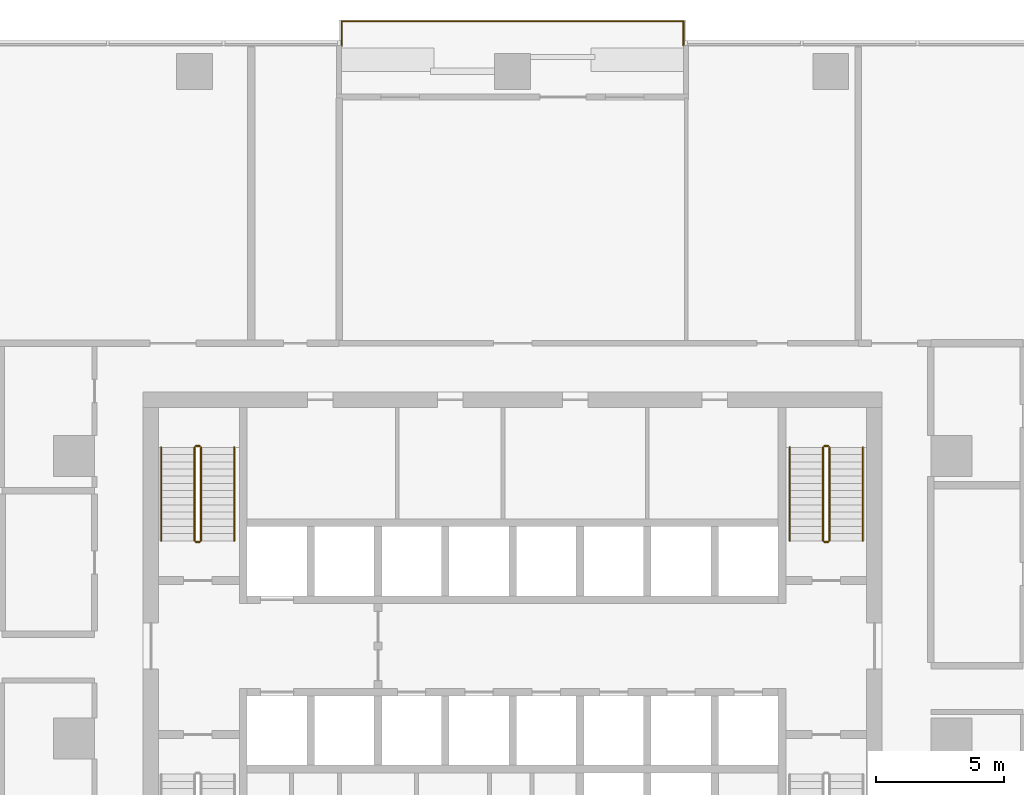
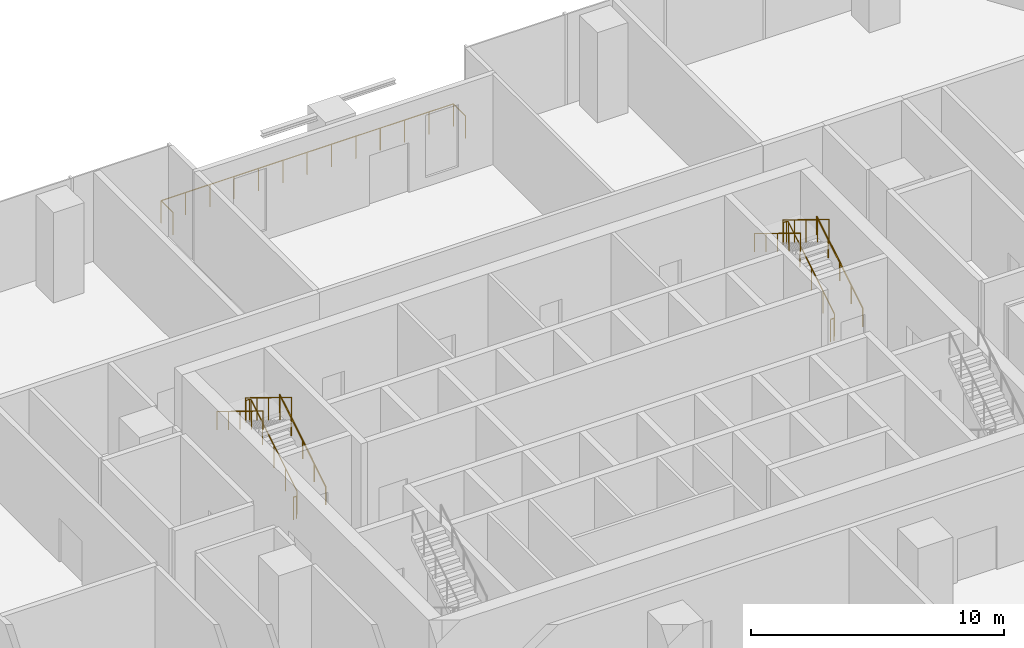
# One storey, part 14 of 14: 11 railings.
"""IFC4 building model written with IfcOpenShell, lengths in metres."""

import ifcopenshell
import ifcopenshell.guid

model = None  # the IFC model being written
_history = None  # IfcOwnerHistory: only IFC2X3 demands one
_inside = {}  # id of a spatial element -> (the spatial element, [elements in it])
_under = {}  # id of a project, library or spatial element -> (it, [spatial elements below it])
_declared = {}  # id of a project -> (the project, [libraries it declares])
_typed = {}  # id of a type object -> (the type object, [elements of that type])
_made_of = {}  # id of a material, layer set ... -> (it, [elements and type objects made of it])


def new_model(schema):
    """Start an empty IFC model of exactly this schema.

    Asked for "IFC4X3", IfcOpenShell would pick the latest addendum, in which some entities
    have other attributes; the version numbers below select the first issue.
    IFC2X3 requires an IfcOwnerHistory on every rooted entity: one is made here for all.
    """
    global model, _history
    if schema == "IFC4X3":
        model = ifcopenshell.file(schema_version=(4, 3, 0, 0))
    else:
        model = ifcopenshell.file(schema=schema)
    _inside.clear()
    _under.clear()
    _declared.clear()
    _typed.clear()
    _made_of.clear()
    _history = None
    if model.schema == "IFC2X3":
        org = make("IfcOrganization", Name="unknown")
        user = make(
            "IfcPersonAndOrganization",
            ThePerson=make("IfcPerson", FamilyName="unknown"),
            TheOrganization=org,
        )
        app = make(
            "IfcApplication",
            ApplicationDeveloper=org,
            Version="unknown",
            ApplicationFullName="unknown",
            ApplicationIdentifier="unknown",
        )
        _history = make(
            "IfcOwnerHistory",
            OwningUser=user,
            OwningApplication=app,
            ChangeAction="ADDED",
            CreationDate=0,
        )
    return model


def make(cls, **values):
    """One entity of the class cls with the attributes given. An attribute that is None is left unset."""
    return model.create_entity(
        cls, **{name: value for name, value in values.items() if value is not None}
    )


def rooted(cls, **values):
    """An entity with a GlobalId (a new one), such as an element, a storey or a relation."""
    return make(cls, GlobalId=ifcopenshell.guid.new(), OwnerHistory=_history, **values)


def si_unit(unit_type, name, prefix=None):
    """IfcSIUnit, for example si_unit("LENGTHUNIT", "METRE", prefix="MILLI")."""
    return make("IfcSIUnit", UnitType=unit_type, Prefix=prefix, Name=name)


def assignment(units):
    """IfcUnitAssignment: the units of a project."""
    return None if units is None else make("IfcUnitAssignment", Units=units)


def point(xyz):
    """IfcCartesianPoint."""
    return None if xyz is None else make("IfcCartesianPoint", Coordinates=xyz)


def direction(xyz):
    """IfcDirection."""
    return None if xyz is None else make("IfcDirection", DirectionRatios=xyz)


def frame(location, z_axis=None, x_axis=None):
    """IfcAxis2Placement3D, a coordinate frame: its origin and axes. An axis left out is left unset."""
    return make(
        "IfcAxis2Placement3D",
        Location=point(location),
        Axis=direction(z_axis),
        RefDirection=direction(x_axis),
    )


def frame_2d(location, x_axis=None):
    """IfcAxis2Placement2D, a coordinate frame in the plane: its origin and x axis."""
    return make(
        "IfcAxis2Placement2D", Location=point(location), RefDirection=direction(x_axis)
    )


def origin():
    """The frame at (0, 0, 0) with its axes left unset."""
    return frame((0.0, 0.0, 0.0))


def origin_2d():
    """The frame at (0, 0) in the plane with its x axis left unset."""
    return frame_2d((0.0, 0.0))


def place(relative_to, where):
    """IfcLocalPlacement: puts the frame where relative to a parent placement (None: the world)."""
    return make(
        "IfcLocalPlacement", PlacementRelTo=relative_to, RelativePlacement=where
    )


def context(
    kind, dimensions, precision=None, world=None, true_north=None, identifier=None
):
    """IfcGeometricRepresentationContext, for example the 3D "Model" context."""
    return make(
        "IfcGeometricRepresentationContext",
        ContextIdentifier=identifier,
        ContextType=kind,
        CoordinateSpaceDimension=dimensions,
        Precision=precision,
        WorldCoordinateSystem=world,
        TrueNorth=true_north,
    )


def subcontext(parent, identifier, kind, view, scale=None):
    """IfcGeometricRepresentationSubContext, for example "Body" below "Model"."""
    return make(
        "IfcGeometricRepresentationSubContext",
        ContextIdentifier=identifier,
        ContextType=kind,
        ParentContext=parent,
        TargetScale=scale,
        TargetView=view,
    )


def project(units=None, contexts=None):
    """IfcProject with its units and contexts."""
    return rooted(
        "IfcProject",
        Name="project",
        RepresentationContexts=contexts,
        UnitsInContext=assignment(units),
    )


def spatial(cls, under=None, at=None, **own):
    """A site, building, storey or space (cls), placed at a placement, below another one or the project."""
    s = rooted(cls, ObjectPlacement=at, **own)
    if under is not None:
        _under.setdefault(under.id(), (under, []))[1].append(s)
    return s


def profile(cls, at=None, kind="AREA", **sizes):
    """A parametric profile (cls). Its sizes go by their IFC names, for example OverallWidth=200.0."""
    return make(cls, ProfileType=kind, Position=at, **sizes)


def circle(**sizes):
    """IfcCircleProfileDef."""
    return profile("IfcCircleProfileDef", **sizes)


def extrude(swept, where, along, depth):
    """IfcExtrudedAreaSolid: the profile swept, set in the frame where, extruded along a direction by depth."""
    return make(
        "IfcExtrudedAreaSolid",
        SweptArea=swept,
        Position=where,
        ExtrudedDirection=direction(along),
        Depth=depth,
    )


def shape(context_of_items, identifier, shape_type, items):
    """IfcShapeRepresentation: the items that make up one representation, for example the "Body"."""
    return make(
        "IfcShapeRepresentation",
        ContextOfItems=context_of_items,
        RepresentationIdentifier=identifier,
        RepresentationType=shape_type,
        Items=items,
    )


def material(Name=None, Category=None):
    """IfcMaterial."""
    return make("IfcMaterial", Name=Name, Category=Category)


def made_of(thing, what):
    """Note that an element or type object is made of a material, layer set ...; save() writes the relation."""
    if what is not None:
        _made_of.setdefault(what.id(), (what, []))[1].append(thing)
    return thing


def type_object(cls, material=None, **own):
    """A type object (cls), such as IfcWallType, which elements share."""
    return made_of(rooted(cls, **own), material)


def element(
    cls,
    number,
    at=None,
    inside=None,
    cuts=None,
    type_object=None,
    material=None,
    context=None,
    identifier="Body",
    shape_type=None,
    held_by="IfcProductDefinitionShape",
    body=None,
    shapes=None,
    **own,
):
    """One element of the class cls, such as IfcWall. Its Tag is "e" and its number.

    at: its placement. inside: the storey or other place that contains it. cuts: it is an
    opening in that element (IfcRelVoidsElement). A single representation is given by context,
    identifier, shape_type and body (its items); several are given by shapes. held_by: the class
    of the entity that holds the representations. save() writes the other relations.
    """
    e = rooted(cls, Tag="e%d" % number, ObjectPlacement=at, **own)
    if body is not None:
        shapes = [shape(context, identifier, shape_type, body)]
    if shapes is not None:
        e.Representation = make(held_by, Representations=shapes)
    if inside is not None:
        _inside.setdefault(inside.id(), (inside, []))[1].append(e)
    if cuts is not None:
        rooted(
            "IfcRelVoidsElement", RelatingBuildingElement=cuts, RelatedOpeningElement=e
        )
    if type_object is not None:
        _typed.setdefault(type_object.id(), (type_object, []))[1].append(e)
    return made_of(e, material)


def aggregate(whole, parts):
    """IfcRelAggregates: a whole, such as a stair, and the parts it consists of."""
    return rooted("IfcRelAggregates", RelatingObject=whole, RelatedObjects=parts)


def save(model, path):
    """Write the relations noted so far, then the file.

    IfcRelAggregates (storeys below a building ...), IfcRelContainedInSpatialStructure (elements
    in a storey), IfcRelDefinesByType, IfcRelAssociatesMaterial and IfcRelDeclares: one each for
    every whole, place, type object, material and project.
    """
    for whole, parts in _under.values():
        aggregate(whole, parts)
    for where, things in _inside.values():
        rooted(
            "IfcRelContainedInSpatialStructure",
            RelatedElements=things,
            RelatingStructure=where,
        )
    for kind, things in _typed.values():
        rooted("IfcRelDefinesByType", RelatedObjects=things, RelatingType=kind)
    for what, things in _made_of.values():
        rooted("IfcRelAssociatesMaterial", RelatedObjects=things, RelatingMaterial=what)
    for by, libraries in _declared.values():
        rooted("IfcRelDeclares", RelatingContext=by, RelatedDefinitions=libraries)
    model.write(path)


model = new_model("IFC4")

# Units and contexts
model_context = context("Model", 3, precision=1e-05, world=origin(), true_north=direction((0.0, 1.0)))
body_context = subcontext(model_context, "Body", "Model", "MODEL_VIEW")
ifc_project = project(units=[si_unit("LENGTHUNIT", "METRE"), si_unit("AREAUNIT", "SQUARE_METRE"), si_unit("VOLUMEUNIT", "CUBIC_METRE"), si_unit("PLANEANGLEUNIT", "RADIAN"), si_unit("MASSUNIT", "GRAM", prefix="KILO")], contexts=[model_context])

# Site, building, storey
site_placement = place(None, origin())
site = spatial("IfcSite", under=ifc_project, at=site_placement, CompositionType="ELEMENT")
building_placement = place(site_placement, origin())
building = spatial("IfcBuilding", under=site, at=building_placement, Name="Mopane Tessera Tower", CompositionType="ELEMENT")
storey_placement = place(building_placement, frame((0.0, 0.0, 40.60009765625)))
storey = spatial("IfcBuildingStorey", under=building, at=storey_placement, Name="L07", CompositionType="ELEMENT", Elevation=40.60009765625)

# Railings
ifc_material_1 = material(Name="Powder-coated steel balustrade", Category="steel")
railing_type_1 = type_object("IfcRailingType", Name="Escape stair guard 1100 mm", PredefinedType="GUARDRAIL", material=ifc_material_1)
railing_1_placement = place(storey_placement, frame((-12.14990234375, 7.699951171875, 0.17138671875)))
element("IfcRailing", 1, at=railing_1_placement, inside=storey, type_object=railing_type_1, Name="L07 ST2 stair guard 1", PredefinedType="GUARDRAIL", context=body_context, shape_type="SweptSolid", body=[
    extrude(circle(Radius=0.02392578125, at=origin_2d()), frame((0.0, 0.0, 1.076171875), z_axis=(0.0, 0.852865859571, 0.52213008492), x_axis=(-1.0, 0.0, 0.0)), (0.0, 0.0, 1.0), 4.26806640625),
    extrude(circle(Radius=0.02392578125, at=origin_2d()), frame((0.0, 3.64013671875, 3.3046875), z_axis=(-0.708833529934, 0.705375805398, 0.0), x_axis=(-0.705375805398, -0.708833529934, 0.0)), (0.0, 0.0, 1.0), 0.070556640625),
    extrude(circle(Radius=0.02392578125, at=origin_2d()), frame((-0.050048828125, 3.68994140625, 3.3046875), z_axis=(-1.0, 0.0, 0.0), x_axis=(0.0, -1.0, 0.0)), (0.0, 0.0, 1.0), 0.150146484375),
    extrude(circle(Radius=0.02099609375, at=origin_2d()), origin(), (0.0, 0.0, 1.0), 1.052001953125),
    extrude(circle(Radius=0.02099609375, at=origin_2d()), frame((0.0, 0.91015625, 0.55712890625)), (0.0, 0.0, 1.0), 1.052001953125),
    extrude(circle(Radius=0.02099609375, at=origin_2d()), frame((0.0, 1.820068359375, 1.1142578125)), (0.0, 0.0, 1.0), 1.052001953125),
    extrude(circle(Radius=0.02099609375, at=origin_2d()), frame((0.0, 2.72998046875, 1.67138671875)), (0.0, 0.0, 1.0), 1.052001953125),
    extrude(circle(Radius=0.02099609375, at=origin_2d()), frame((0.0, 3.64013671875, 2.228515625)), (0.0, 0.0, 1.0), 1.052001953125),
    extrude(circle(Radius=0.02099609375, at=origin_2d()), frame((-0.050048828125, 3.68994140625, 2.228515625)), (0.0, 0.0, 1.0), 1.052001953125),
    extrude(circle(Radius=0.02099609375, at=origin_2d()), frame((-0.2001953125, 3.68994140625, 2.228515625)), (0.0, 0.0, 1.0), 1.052001953125),
])
railing_2_placement = place(storey_placement, frame((-12.39990234375, 11.340087890625, 2.5712890625)))
element("IfcRailing", 2, at=railing_2_placement, inside=storey, type_object=railing_type_1, Name="L07 ST2 stair guard 2", PredefinedType="GUARDRAIL", context=body_context, shape_type="SweptSolid", body=[
    extrude(circle(Radius=0.02392578125, at=origin_2d()), frame((0.0, 0.0, 1.076171875), z_axis=(0.0, -0.852865859571, 0.52213008492), x_axis=(1.0, 0.0, 0.0)), (0.0, 0.0, 1.0), 4.26806640625),
    extrude(circle(Radius=0.02099609375, at=origin_2d()), origin(), (0.0, 0.0, 1.0), 1.052001953125),
    extrude(circle(Radius=0.02099609375, at=origin_2d()), frame((0.0, -0.91015625, 0.55712890625)), (0.0, 0.0, 1.0), 1.052001953125),
    extrude(circle(Radius=0.02099609375, at=origin_2d()), frame((0.0, -1.820068359375, 1.1142578125)), (0.0, 0.0, 1.0), 1.052001953125),
    extrude(circle(Radius=0.02099609375, at=origin_2d()), frame((0.0, -2.72998046875, 1.67138671875)), (0.0, 0.0, 1.0), 1.052001953125),
    extrude(circle(Radius=0.02099609375, at=origin_2d()), frame((0.0, -3.64013671875, 2.228515625)), (0.0, 0.0, 1.0), 1.052001953125),
])
railing_3_placement = place(storey_placement, frame((-12.199951171875, 7.64990234375, 0.0)))
element("IfcRailing", 3, at=railing_3_placement, inside=storey, type_object=railing_type_1, Name="L07 ST2 stair guard 3", PredefinedType="GUARDRAIL", context=body_context, shape_type="SweptSolid", body=[
    extrude(circle(Radius=0.02392578125, at=origin_2d()), frame((0.0, 0.0, 1.076171875), z_axis=(-1.0, 0.0, 0.0), x_axis=(0.0, -1.0, 0.0)), (0.0, 0.0, 1.0), 0.150146484375),
    extrude(circle(Radius=0.02099609375, at=origin_2d()), origin(), (0.0, 0.0, 1.0), 1.052001953125),
    extrude(circle(Radius=0.02099609375, at=origin_2d()), frame((-0.150146484375, 0.0, 0.0)), (0.0, 0.0, 1.0), 1.052001953125),
])
railing_4_placement = place(storey_placement, frame((12.35009765625, 7.699951171875, 0.17138671875)))
element("IfcRailing", 4, at=railing_4_placement, inside=storey, type_object=railing_type_1, Name="L07 ST4 stair guard 1", PredefinedType="GUARDRAIL", context=body_context, shape_type="SweptSolid", body=[
    extrude(circle(Radius=0.02392578125, at=origin_2d()), frame((0.0, 0.0, 1.076171875), z_axis=(0.0, 0.852865859571, 0.52213008492), x_axis=(-1.0, 0.0, 0.0)), (0.0, 0.0, 1.0), 4.26806640625),
    extrude(circle(Radius=0.02392578125, at=origin_2d()), frame((0.0, 3.64013671875, 3.3046875), z_axis=(-0.708833529934, 0.705375805398, 0.0), x_axis=(-0.705375805398, -0.708833529934, 0.0)), (0.0, 0.0, 1.0), 0.070556640625),
    extrude(circle(Radius=0.02392578125, at=origin_2d()), frame((-0.050048828125, 3.68994140625, 3.3046875), z_axis=(-1.0, 0.0, 0.0), x_axis=(0.0, -1.0, 0.0)), (0.0, 0.0, 1.0), 0.150146484375),
    extrude(circle(Radius=0.02099609375, at=origin_2d()), origin(), (0.0, 0.0, 1.0), 1.052001953125),
    extrude(circle(Radius=0.02099609375, at=origin_2d()), frame((0.0, 0.91015625, 0.55712890625)), (0.0, 0.0, 1.0), 1.052001953125),
    extrude(circle(Radius=0.02099609375, at=origin_2d()), frame((0.0, 1.820068359375, 1.1142578125)), (0.0, 0.0, 1.0), 1.052001953125),
    extrude(circle(Radius=0.02099609375, at=origin_2d()), frame((0.0, 2.72998046875, 1.67138671875)), (0.0, 0.0, 1.0), 1.052001953125),
    extrude(circle(Radius=0.02099609375, at=origin_2d()), frame((0.0, 3.64013671875, 2.228515625)), (0.0, 0.0, 1.0), 1.052001953125),
    extrude(circle(Radius=0.02099609375, at=origin_2d()), frame((-0.050048828125, 3.68994140625, 2.228515625)), (0.0, 0.0, 1.0), 1.052001953125),
    extrude(circle(Radius=0.02099609375, at=origin_2d()), frame((-0.2001953125, 3.68994140625, 2.228515625)), (0.0, 0.0, 1.0), 1.052001953125),
])
railing_5_placement = place(storey_placement, frame((12.10009765625, 11.340087890625, 2.5712890625)))
element("IfcRailing", 5, at=railing_5_placement, inside=storey, type_object=railing_type_1, Name="L07 ST4 stair guard 2", PredefinedType="GUARDRAIL", context=body_context, shape_type="SweptSolid", body=[
    extrude(circle(Radius=0.02392578125, at=origin_2d()), frame((0.0, 0.0, 1.076171875), z_axis=(0.0, -0.852865859571, 0.52213008492), x_axis=(1.0, 0.0, 0.0)), (0.0, 0.0, 1.0), 4.26806640625),
    extrude(circle(Radius=0.02099609375, at=origin_2d()), origin(), (0.0, 0.0, 1.0), 1.052001953125),
    extrude(circle(Radius=0.02099609375, at=origin_2d()), frame((0.0, -0.91015625, 0.55712890625)), (0.0, 0.0, 1.0), 1.052001953125),
    extrude(circle(Radius=0.02099609375, at=origin_2d()), frame((0.0, -1.820068359375, 1.1142578125)), (0.0, 0.0, 1.0), 1.052001953125),
    extrude(circle(Radius=0.02099609375, at=origin_2d()), frame((0.0, -2.72998046875, 1.67138671875)), (0.0, 0.0, 1.0), 1.052001953125),
    extrude(circle(Radius=0.02099609375, at=origin_2d()), frame((0.0, -3.64013671875, 2.228515625)), (0.0, 0.0, 1.0), 1.052001953125),
])
railing_6_placement = place(storey_placement, frame((12.300048828125, 7.64990234375, 0.0)))
element("IfcRailing", 6, at=railing_6_placement, inside=storey, type_object=railing_type_1, Name="L07 ST4 stair guard 3", PredefinedType="GUARDRAIL", context=body_context, shape_type="SweptSolid", body=[
    extrude(circle(Radius=0.02392578125, at=origin_2d()), frame((0.0, 0.0, 1.076171875), z_axis=(-1.0, 0.0, 0.0), x_axis=(0.0, -1.0, 0.0)), (0.0, 0.0, 1.0), 0.150146484375),
    extrude(circle(Radius=0.02099609375, at=origin_2d()), origin(), (0.0, 0.0, 1.0), 1.052001953125),
    extrude(circle(Radius=0.02099609375, at=origin_2d()), frame((-0.150146484375, 0.0, 0.0)), (0.0, 0.0, 1.0), 1.052001953125),
])
ifc_material_2 = material(Name="Powder-coated steel balustrade", Category="steel")
railing_type_2 = type_object("IfcRailingType", Name="Escape stair handrail 900 mm", PredefinedType="HANDRAIL", material=ifc_material_2)
railing_7_placement = place(storey_placement, frame((-10.85009765625, 7.699951171875, 0.17138671875)))
element("IfcRailing", 7, at=railing_7_placement, inside=storey, type_object=railing_type_2, Name="L07 ST2 stair handrail 1", PredefinedType="HANDRAIL", context=body_context, shape_type="SweptSolid", body=[
    extrude(circle(Radius=0.02392578125, at=origin_2d()), frame((0.0, 0.0, 0.8759765625), z_axis=(0.0, 0.852865859571, 0.52213008492), x_axis=(-1.0, 0.0, 0.0)), (0.0, 0.0, 1.0), 4.26806640625),
    extrude(circle(Radius=0.02099609375, at=origin_2d()), origin(), (0.0, 0.0, 1.0), 0.851806640625),
    extrude(circle(Radius=0.02099609375, at=origin_2d()), frame((0.0, 0.91015625, 0.55712890625)), (0.0, 0.0, 1.0), 0.851806640625),
    extrude(circle(Radius=0.02099609375, at=origin_2d()), frame((0.0, 1.820068359375, 1.1142578125)), (0.0, 0.0, 1.0), 0.851806640625),
    extrude(circle(Radius=0.02099609375, at=origin_2d()), frame((0.0, 2.72998046875, 1.67138671875)), (0.0, 0.0, 1.0), 0.851806640625),
    extrude(circle(Radius=0.02099609375, at=origin_2d()), frame((0.0, 3.64013671875, 2.228515625)), (0.0, 0.0, 1.0), 0.851806640625),
])
railing_8_placement = place(storey_placement, frame((-13.699951171875, 11.340087890625, 2.5712890625)))
element("IfcRailing", 8, at=railing_8_placement, inside=storey, type_object=railing_type_2, Name="L07 ST2 stair handrail 2", PredefinedType="HANDRAIL", context=body_context, shape_type="SweptSolid", body=[
    extrude(circle(Radius=0.02392578125, at=origin_2d()), frame((0.0, 0.0, 0.8759765625), z_axis=(0.0, -0.852865859571, 0.52213008492), x_axis=(1.0, 0.0, 0.0)), (0.0, 0.0, 1.0), 4.26806640625),
    extrude(circle(Radius=0.02099609375, at=origin_2d()), origin(), (0.0, 0.0, 1.0), 0.851806640625),
    extrude(circle(Radius=0.02099609375, at=origin_2d()), frame((0.0, -0.91015625, 0.55712890625)), (0.0, 0.0, 1.0), 0.851806640625),
    extrude(circle(Radius=0.02099609375, at=origin_2d()), frame((0.0, -1.820068359375, 1.1142578125)), (0.0, 0.0, 1.0), 0.851806640625),
    extrude(circle(Radius=0.02099609375, at=origin_2d()), frame((0.0, -2.72998046875, 1.67138671875)), (0.0, 0.0, 1.0), 0.851806640625),
    extrude(circle(Radius=0.02099609375, at=origin_2d()), frame((0.0, -3.64013671875, 2.228515625)), (0.0, 0.0, 1.0), 0.851806640625),
])
railing_9_placement = place(storey_placement, frame((13.64990234375, 7.699951171875, 0.17138671875)))
element("IfcRailing", 9, at=railing_9_placement, inside=storey, type_object=railing_type_2, Name="L07 ST4 stair handrail 1", PredefinedType="HANDRAIL", context=body_context, shape_type="SweptSolid", body=[
    extrude(circle(Radius=0.02392578125, at=origin_2d()), frame((0.0, 0.0, 0.8759765625), z_axis=(0.0, 0.852865859571, 0.52213008492), x_axis=(-1.0, 0.0, 0.0)), (0.0, 0.0, 1.0), 4.26806640625),
    extrude(circle(Radius=0.02099609375, at=origin_2d()), origin(), (0.0, 0.0, 1.0), 0.851806640625),
    extrude(circle(Radius=0.02099609375, at=origin_2d()), frame((0.0, 0.91015625, 0.55712890625)), (0.0, 0.0, 1.0), 0.851806640625),
    extrude(circle(Radius=0.02099609375, at=origin_2d()), frame((0.0, 1.820068359375, 1.1142578125)), (0.0, 0.0, 1.0), 0.851806640625),
    extrude(circle(Radius=0.02099609375, at=origin_2d()), frame((0.0, 2.72998046875, 1.67138671875)), (0.0, 0.0, 1.0), 0.851806640625),
    extrude(circle(Radius=0.02099609375, at=origin_2d()), frame((0.0, 3.64013671875, 2.228515625)), (0.0, 0.0, 1.0), 0.851806640625),
])
railing_10_placement = place(storey_placement, frame((10.800048828125, 11.340087890625, 2.5712890625)))
element("IfcRailing", 10, at=railing_10_placement, inside=storey, type_object=railing_type_2, Name="L07 ST4 stair handrail 2", PredefinedType="HANDRAIL", context=body_context, shape_type="SweptSolid", body=[
    extrude(circle(Radius=0.02392578125, at=origin_2d()), frame((0.0, 0.0, 0.8759765625), z_axis=(0.0, -0.852865859571, 0.52213008492), x_axis=(1.0, 0.0, 0.0)), (0.0, 0.0, 1.0), 4.26806640625),
    extrude(circle(Radius=0.02099609375, at=origin_2d()), origin(), (0.0, 0.0, 1.0), 0.851806640625),
    extrude(circle(Radius=0.02099609375, at=origin_2d()), frame((0.0, -0.91015625, 0.55712890625)), (0.0, 0.0, 1.0), 0.851806640625),
    extrude(circle(Radius=0.02099609375, at=origin_2d()), frame((0.0, -1.820068359375, 1.1142578125)), (0.0, 0.0, 1.0), 0.851806640625),
    extrude(circle(Radius=0.02099609375, at=origin_2d()), frame((0.0, -2.72998046875, 1.67138671875)), (0.0, 0.0, 1.0), 0.851806640625),
    extrude(circle(Radius=0.02099609375, at=origin_2d()), frame((0.0, -3.64013671875, 2.228515625)), (0.0, 0.0, 1.0), 0.851806640625),
])
ifc_material_3 = material(Name="Stainless steel S316", Category="steel")
railing_type_3 = type_object("IfcRailingType", Name="Terrace guard 1100", PredefinedType="GUARDRAIL", material=ifc_material_3)
railing_11_placement = place(storey_placement, frame((6.66357421875, 27.0, 0.0)))
element("IfcRailing", 11, at=railing_11_placement, inside=storey, type_object=railing_type_3, Name="e:nw:L07:N2:guard", PredefinedType="GUARDRAIL", context=body_context, shape_type="SweptSolid", body=[
    extrude(circle(Radius=0.02392578125, at=origin_2d()), frame((0.0, 0.0, 1.076171875), z_axis=(0.0, 1.0, 0.0), x_axis=(-1.0, 0.0, 0.0)), (0.0, 0.0, 1.0), 0.949951171875),
    extrude(circle(Radius=0.02392578125, at=origin_2d()), frame((0.0, 0.949951171875, 1.076171875), z_axis=(-1.0, 0.0, 0.0), x_axis=(0.0, -1.0, 0.0)), (0.0, 0.0, 1.0), 13.3271484375),
    extrude(circle(Radius=0.02392578125, at=origin_2d()), frame((-13.3271484375, 0.949951171875, 1.076171875), z_axis=(0.0, -1.0, 0.0), x_axis=(1.0, 0.0, 0.0)), (0.0, 0.0, 1.0), 0.949951171875),
    extrude(circle(Radius=0.02099609375, at=origin_2d()), origin(), (0.0, 0.0, 1.0), 1.052001953125),
    extrude(circle(Radius=0.02099609375, at=origin_2d()), frame((0.0, 0.949951171875, 0.0)), (0.0, 0.0, 1.0), 1.052001953125),
    extrude(circle(Radius=0.02099609375, at=origin_2d()), frame((-1.110595703125, 0.949951171875, 0.0)), (0.0, 0.0, 1.0), 1.052001953125),
    extrude(circle(Radius=0.02099609375, at=origin_2d()), frame((-2.22119140625, 0.949951171875, 0.0)), (0.0, 0.0, 1.0), 1.052001953125),
    extrude(circle(Radius=0.02099609375, at=origin_2d()), frame((-3.331787109375, 0.949951171875, 0.0)), (0.0, 0.0, 1.0), 1.052001953125),
    extrude(circle(Radius=0.02099609375, at=origin_2d()), frame((-4.4423828125, 0.949951171875, 0.0)), (0.0, 0.0, 1.0), 1.052001953125),
    extrude(circle(Radius=0.02099609375, at=origin_2d()), frame((-5.552978515625, 0.949951171875, 0.0)), (0.0, 0.0, 1.0), 1.052001953125),
    extrude(circle(Radius=0.02099609375, at=origin_2d()), frame((-6.66357421875, 0.949951171875, 0.0)), (0.0, 0.0, 1.0), 1.052001953125),
    extrude(circle(Radius=0.02099609375, at=origin_2d()), frame((-7.774169921875, 0.949951171875, 0.0)), (0.0, 0.0, 1.0), 1.052001953125),
    extrude(circle(Radius=0.02099609375, at=origin_2d()), frame((-8.884765625, 0.949951171875, 0.0)), (0.0, 0.0, 1.0), 1.052001953125),
    extrude(circle(Radius=0.02099609375, at=origin_2d()), frame((-9.995361328125, 0.949951171875, 0.0)), (0.0, 0.0, 1.0), 1.052001953125),
    extrude(circle(Radius=0.02099609375, at=origin_2d()), frame((-11.10595703125, 0.949951171875, 0.0)), (0.0, 0.0, 1.0), 1.052001953125),
    extrude(circle(Radius=0.02099609375, at=origin_2d()), frame((-12.216552734375, 0.949951171875, 0.0)), (0.0, 0.0, 1.0), 1.052001953125),
    extrude(circle(Radius=0.02099609375, at=origin_2d()), frame((-13.3271484375, 0.949951171875, 0.0)), (0.0, 0.0, 1.0), 1.052001953125),
    extrude(circle(Radius=0.02099609375, at=origin_2d()), frame((-13.3271484375, 0.0, 0.0)), (0.0, 0.0, 1.0), 1.052001953125),
])

save(model, "model.ifc")
